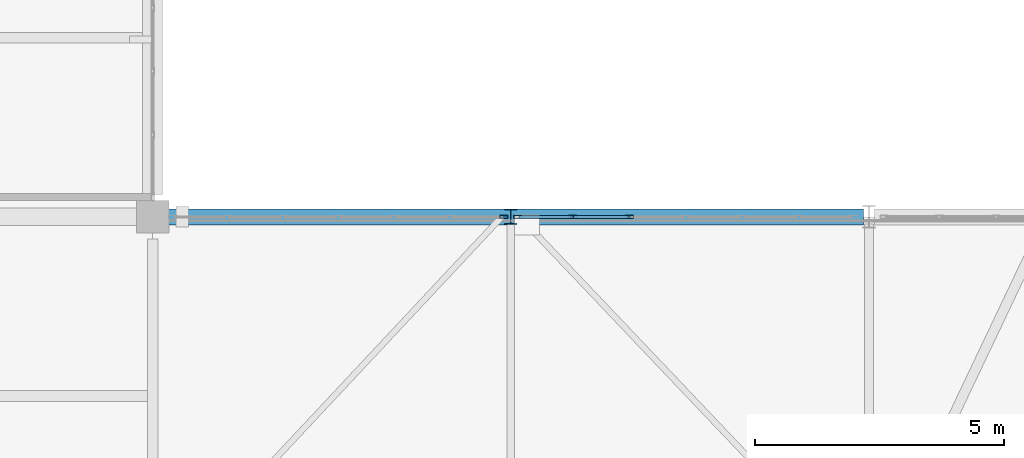
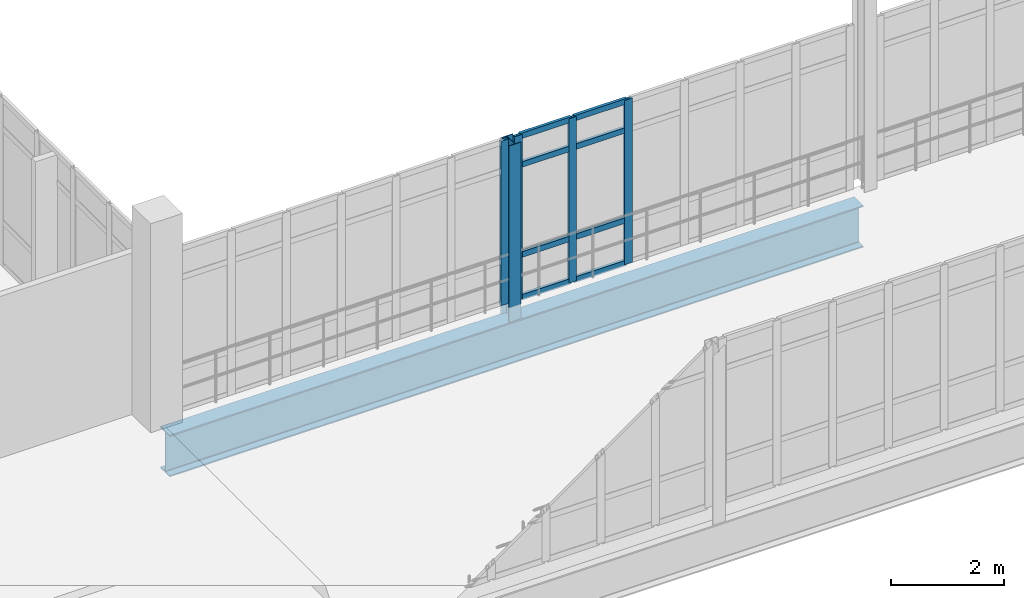
# One storey, part 17 of 124: 13 members, 1 beam, 2 elements without a shape of their own.
"""IFC4 building model written with IfcOpenShell, lengths in metres."""

from ifc_helpers import new_model, si_unit, direction, frame, origin, origin_2d, place, context, subcontext, project, spatial, hollow_rectangle, i_section, extrude, material, material_profile, profile_set, type_object, element, aggregate, save


model = new_model("IFC4")

# Units and contexts
model_context = context("Model", 3, precision=1e-05, world=origin(), true_north=direction((0.0, 1.0)))
body_context = subcontext(model_context, "Body", "Model", "MODEL_VIEW")
ifc_project = project(units=[si_unit("LENGTHUNIT", "METRE"), si_unit("AREAUNIT", "SQUARE_METRE"), si_unit("VOLUMEUNIT", "CUBIC_METRE"), si_unit("PLANEANGLEUNIT", "RADIAN"), si_unit("MASSUNIT", "GRAM", prefix="KILO")], contexts=[model_context])

# Site, building, storey
site_placement = place(None, origin())
site = spatial("IfcSite", under=ifc_project, at=site_placement, CompositionType="ELEMENT")
building_placement = place(site_placement, origin())
building = spatial("IfcBuilding", under=site, at=building_placement, Name="Kalluvel Institute of Natural Sciences", CompositionType="ELEMENT")
storey_placement = place(building_placement, frame((0.0, 0.0, 9.89990234375)))
storey = spatial("IfcBuildingStorey", under=building, at=storey_placement, Name="L02", CompositionType="ELEMENT", Elevation=9.89990234375)

# Beam
ifc_material_1 = material(Name="Steel E350 Grade 350", Category="steel")
ifc_material_profile_1 = material_profile(ifc_material_1, i_section(OverallWidth=0.320068359375, OverallDepth=0.89990234375, WebThickness=0.01611328125, FlangeThickness=0.028076171875, FilletRadius=0.01806640625, at=origin_2d()), Name="WPG 900x320")
ifc_profile_set_1 = profile_set([ifc_material_profile_1], Name="Steel E350 Grade 350")
beam_type = type_object("IfcBeamType", Name="BM-WPG900", PredefinedType="BEAM", material=ifc_profile_set_1)
beam_placement = place(storey_placement, frame((35.760009765625, 35.60009765625, -0.77001953125), z_axis=(1.0, 0.0, 0.0), x_axis=(0.0, 1.0, 0.0)))
element("IfcBeam", 1, at=beam_placement, inside=storey, type_object=beam_type, Name="L02 link bridge main plate-girder chord 28", PredefinedType="BEAM", context=body_context, shape_type="SweptSolid", body=[
    extrude(i_section(OverallWidth=0.320068359375, OverallDepth=0.89990234375, WebThickness=0.01611328125, FlangeThickness=0.028076171875, FilletRadius=0.01806640625, at=origin_2d()), origin(), (0.0, 0.0, 1.0), 14.1298828125),
])

# Curtain wall, member
ifc_material_2 = material(Name="Aluminium AW-6063 T6", Category="aluminium")
curtain_wall_type = type_object("IfcCurtainWallType", Name="CW-BRG-45", PredefinedType="USERDEFINED", material=ifc_material_2)
curtain_wall_1_placement = place(storey_placement, origin())
curtain_wall_1 = element("IfcCurtainWall", 2, at=curtain_wall_1_placement, inside=storey, type_object=curtain_wall_type, Name="L02 Gothic lancet curtain wall CWA-L02-X360-Y356", ObjectType="UNITISED LANCET FACADE", PredefinedType="USERDEFINED")
ifc_material_profile_2 = material_profile(ifc_material_2, hollow_rectangle(XDim=0.06005859375, YDim=0.159912109375, WallThickness=0.00390625, at=origin_2d()), Name="CWM 60x160")
ifc_profile_set_2 = profile_set([ifc_material_profile_2], Name="Aluminium AW-6063 T6")
member_type_1 = type_object("IfcMemberType", Name="CWM-60x160", PredefinedType="MULLION", material=ifc_profile_set_2)
member_1_placement = place(storey_placement, frame((42.659912109375, 35.60009765625, 0.0), z_axis=(0.0, 0.0, 1.0), x_axis=(0.0, 1.0, 0.0)))
member_1 = element("IfcMember", 3, at=member_1_placement, type_object=member_type_1, Name="CW-07 mullion 7", PredefinedType="MULLION", context=body_context, shape_type="SweptSolid", body=[
    extrude(hollow_rectangle(XDim=0.06005859375, YDim=0.159912109375, WallThickness=0.00390625, at=origin_2d()), origin(), (0.0, 0.0, 1.0), 3.5400390625),
])
aggregate(curtain_wall_1, [member_1])

# Curtain wall, members
curtain_wall_2_placement = place(storey_placement, origin())
curtain_wall_2 = element("IfcCurtainWall", 4, at=curtain_wall_2_placement, inside=storey, type_object=curtain_wall_type, Name="L02 Gothic lancet curtain wall CWA-L02-X429-Y356", ObjectType="UNITISED LANCET FACADE", PredefinedType="USERDEFINED")
member_2_placement = place(storey_placement, frame((42.93994140625, 35.60009765625, 0.0), z_axis=(0.0, 0.0, 1.0), x_axis=(0.0, 1.0, 0.0)))
member_2 = element("IfcMember", 5, at=member_2_placement, type_object=member_type_1, Name="CW-07 mullion 1", PredefinedType="MULLION", context=body_context, shape_type="SweptSolid", body=[
    extrude(hollow_rectangle(XDim=0.06005859375, YDim=0.159912109375, WallThickness=0.00390625, at=origin_2d()), origin(), (0.0, 0.0, 1.0), 3.5400390625),
])
member_3_placement = place(storey_placement, frame((44.0458984375, 35.60009765625, 0.0), z_axis=(0.0, 0.0, 1.0), x_axis=(0.0, 1.0, 0.0)))
member_3 = element("IfcMember", 6, at=member_3_placement, type_object=member_type_1, Name="CW-07 mullion 2", PredefinedType="MULLION", context=body_context, shape_type="SweptSolid", body=[
    extrude(hollow_rectangle(XDim=0.06005859375, YDim=0.159912109375, WallThickness=0.00390625, at=origin_2d()), origin(), (0.0, 0.0, 1.0), 3.5400390625),
])
member_4_placement = place(storey_placement, frame((45.181640625, 35.60009765625, 0.0), z_axis=(0.0, 0.0, 1.0), x_axis=(0.0, 1.0, 0.0)))
member_4 = element("IfcMember", 7, at=member_4_placement, type_object=member_type_1, Name="CW-07 mullion 3", PredefinedType="MULLION", context=body_context, shape_type="SweptSolid", body=[
    extrude(hollow_rectangle(XDim=0.06005859375, YDim=0.159912109375, WallThickness=0.00390625, at=origin_2d()), origin(), (0.0, 0.0, 1.0), 3.5400390625),
])
ifc_material_profile_3 = material_profile(ifc_material_2, hollow_rectangle(XDim=0.06005859375, YDim=0.1201171875, WallThickness=0.00390625, at=origin_2d()), Name="CWT 60x120")
ifc_profile_set_3 = profile_set([ifc_material_profile_3], Name="Aluminium AW-6063 T6")
member_type_2 = type_object("IfcMemberType", Name="CWT-60x120", PredefinedType="USERDEFINED", material=ifc_profile_set_3)
member_5_placement = place(storey_placement, frame((42.969970703125, 35.60009765625, 0.030029296875), z_axis=(1.0, 0.0, 0.0), x_axis=(0.0, 1.0, 0.0)))
member_5 = element("IfcMember", 8, at=member_5_placement, type_object=member_type_2, Name="CW-07 transom 1.1", ObjectType="TRANSOM", PredefinedType="USERDEFINED", context=body_context, shape_type="SweptSolid", body=[
    extrude(hollow_rectangle(XDim=0.06005859375, YDim=0.1201171875, WallThickness=0.00390625, at=origin_2d()), origin(), (0.0, 0.0, 1.0), 1.0458984375),
])
member_6_placement = place(storey_placement, frame((42.969970703125, 35.60009765625, 0.9501953125), z_axis=(1.0, 0.0, 0.0), x_axis=(0.0, 1.0, 0.0)))
member_6 = element("IfcMember", 9, at=member_6_placement, type_object=member_type_2, Name="CW-07 transom 1.2", ObjectType="TRANSOM", PredefinedType="USERDEFINED", context=body_context, shape_type="SweptSolid", body=[
    extrude(hollow_rectangle(XDim=0.06005859375, YDim=0.1201171875, WallThickness=0.00390625, at=origin_2d()), origin(), (0.0, 0.0, 1.0), 1.0458984375),
])
member_7_placement = place(storey_placement, frame((42.969970703125, 35.60009765625, 2.89013671875), z_axis=(1.0, 0.0, 0.0), x_axis=(0.0, 1.0, 0.0)))
member_7 = element("IfcMember", 10, at=member_7_placement, type_object=member_type_2, Name="CW-07 transom 1.3", ObjectType="TRANSOM", PredefinedType="USERDEFINED", context=body_context, shape_type="SweptSolid", body=[
    extrude(hollow_rectangle(XDim=0.06005859375, YDim=0.1201171875, WallThickness=0.00390625, at=origin_2d()), origin(), (0.0, 0.0, 1.0), 1.0458984375),
])
member_8_placement = place(storey_placement, frame((42.969970703125, 35.60009765625, 3.510009765625), z_axis=(1.0, 0.0, 0.0), x_axis=(0.0, 1.0, 0.0)))
member_8 = element("IfcMember", 11, at=member_8_placement, type_object=member_type_2, Name="CW-07 transom 1.4", ObjectType="TRANSOM", PredefinedType="USERDEFINED", context=body_context, shape_type="SweptSolid", body=[
    extrude(hollow_rectangle(XDim=0.06005859375, YDim=0.1201171875, WallThickness=0.00390625, at=origin_2d()), origin(), (0.0, 0.0, 1.0), 1.0458984375),
])
member_9_placement = place(storey_placement, frame((44.075927734375, 35.60009765625, 0.030029296875), z_axis=(1.0, 0.0, 0.0), x_axis=(0.0, 1.0, 0.0)))
member_9 = element("IfcMember", 12, at=member_9_placement, type_object=member_type_2, Name="CW-07 transom 2.1", ObjectType="TRANSOM", PredefinedType="USERDEFINED", context=body_context, shape_type="SweptSolid", body=[
    extrude(hollow_rectangle(XDim=0.06005859375, YDim=0.1201171875, WallThickness=0.00390625, at=origin_2d()), origin(), (0.0, 0.0, 1.0), 1.07568359375),
])
member_10_placement = place(storey_placement, frame((44.075927734375, 35.60009765625, 0.9501953125), z_axis=(1.0, 0.0, 0.0), x_axis=(0.0, 1.0, 0.0)))
member_10 = element("IfcMember", 13, at=member_10_placement, type_object=member_type_2, Name="CW-07 transom 2.2", ObjectType="TRANSOM", PredefinedType="USERDEFINED", context=body_context, shape_type="SweptSolid", body=[
    extrude(hollow_rectangle(XDim=0.06005859375, YDim=0.1201171875, WallThickness=0.00390625, at=origin_2d()), origin(), (0.0, 0.0, 1.0), 1.07568359375),
])
member_11_placement = place(storey_placement, frame((44.075927734375, 35.60009765625, 2.89013671875), z_axis=(1.0, 0.0, 0.0), x_axis=(0.0, 1.0, 0.0)))
member_11 = element("IfcMember", 14, at=member_11_placement, type_object=member_type_2, Name="CW-07 transom 2.3", ObjectType="TRANSOM", PredefinedType="USERDEFINED", context=body_context, shape_type="SweptSolid", body=[
    extrude(hollow_rectangle(XDim=0.06005859375, YDim=0.1201171875, WallThickness=0.00390625, at=origin_2d()), origin(), (0.0, 0.0, 1.0), 1.07568359375),
])
member_12_placement = place(storey_placement, frame((44.075927734375, 35.60009765625, 3.510009765625), z_axis=(1.0, 0.0, 0.0), x_axis=(0.0, 1.0, 0.0)))
member_12 = element("IfcMember", 15, at=member_12_placement, type_object=member_type_2, Name="CW-07 transom 2.4", ObjectType="TRANSOM", PredefinedType="USERDEFINED", context=body_context, shape_type="SweptSolid", body=[
    extrude(hollow_rectangle(XDim=0.06005859375, YDim=0.1201171875, WallThickness=0.00390625, at=origin_2d()), origin(), (0.0, 0.0, 1.0), 1.07568359375),
])
aggregate(curtain_wall_2, [member_2, member_3, member_4, member_5, member_6, member_7, member_8, member_9, member_10, member_11, member_12])

# Member
ifc_material_profile_4 = material_profile(ifc_material_1, i_section(OverallWidth=0.25, OverallDepth=0.300048828125, WebThickness=0.009521484375, FlangeThickness=0.010498046875, FilletRadius=0.011962890625, at=origin_2d()), Name="ISHB 300")
ifc_profile_set_4 = profile_set([ifc_material_profile_4], Name="Steel E350 Grade 350")
member_type_3 = type_object("IfcMemberType", Name="MB-ST-ISHB300", PredefinedType="STRUT", material=ifc_profile_set_4)
member_13_placement = place(storey_placement, frame((42.800048828125, 35.60009765625, -0.31982421875), z_axis=(0.0, 0.0, 1.0), x_axis=(1.0, 0.0, 0.0)))
element("IfcMember", 16, at=member_13_placement, inside=storey, type_object=member_type_3, Name="Glazed link bridge truss post 43", PredefinedType="STRUT", context=body_context, shape_type="SweptSolid", body=[
    extrude(i_section(OverallWidth=0.25, OverallDepth=0.300048828125, WebThickness=0.009521484375, FlangeThickness=0.010498046875, FilletRadius=0.011962890625, at=origin_2d()), origin(), (0.0, 0.0, 1.0), 3.7998046875),
])

save(model, "model.ifc")
